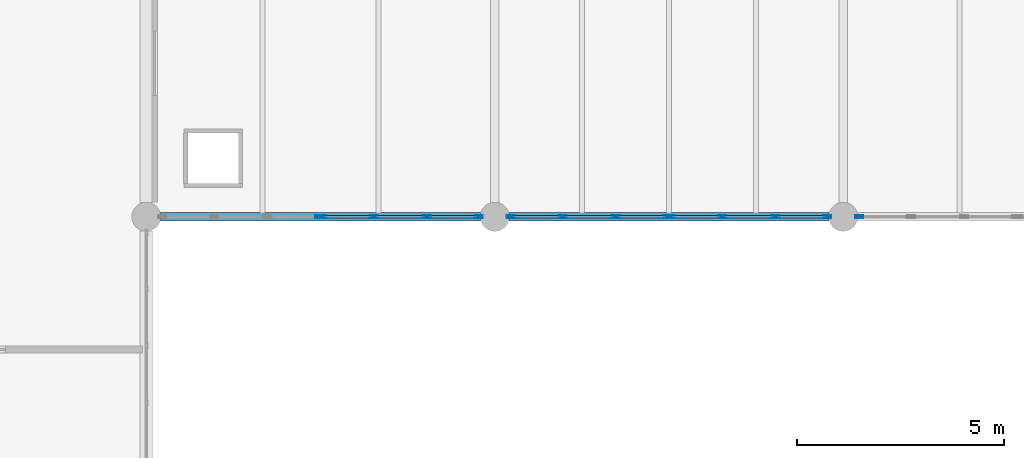
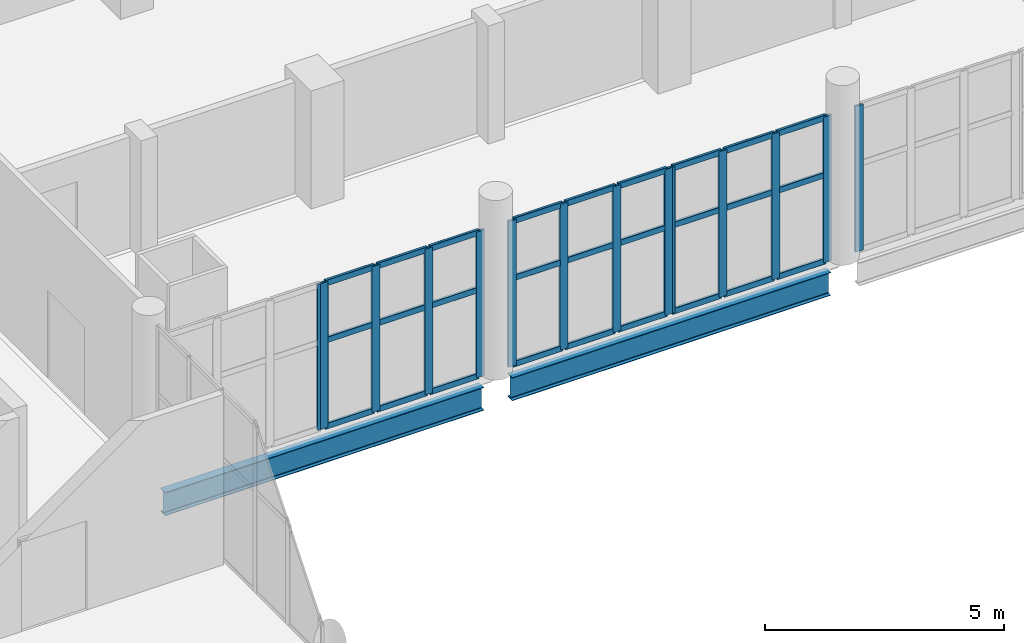
# One storey, part 29 of 74: 41 members, 2 beams, 5 elements without a shape of their own.
"""IFC4 building model written with IfcOpenShell, lengths in metres."""

from ifc_helpers import new_model, si_unit, direction, frame, origin, origin_2d, place, context, subcontext, project, spatial, hollow_rectangle, i_section, extrude, material, material_profile, profile_set, type_object, element, aggregate, save


model = new_model("IFC4")

# Units and contexts
model_context = context("Model", 3, precision=1e-05, world=origin(), true_north=direction((0.0, 1.0)))
body_context = subcontext(model_context, "Body", "Model", "MODEL_VIEW")
ifc_project = project(units=[si_unit("LENGTHUNIT", "METRE"), si_unit("AREAUNIT", "SQUARE_METRE"), si_unit("VOLUMEUNIT", "CUBIC_METRE"), si_unit("PLANEANGLEUNIT", "RADIAN"), si_unit("MASSUNIT", "GRAM", prefix="KILO")], contexts=[model_context])

# Site, building, storey
site_placement = place(None, origin())
site = spatial("IfcSite", under=ifc_project, at=site_placement, CompositionType="ELEMENT")
building_placement = place(site_placement, origin())
building = spatial("IfcBuilding", under=site, at=building_placement, Name="Shengluoqiao Park Theatre", CompositionType="ELEMENT")
storey_placement = place(building_placement, frame((0.0, 0.0, 14.60009765625)))
storey = spatial("IfcBuildingStorey", under=building, at=storey_placement, Name="L03", CompositionType="ELEMENT", Elevation=14.60009765625)

# Curtain wall, member
ifc_material_1 = material(Name="Aluminium 6063-T6", Category="aluminium")
curtain_wall_type = type_object("IfcCurtainWallType", Name="ENV-CW-PROM", PredefinedType="NOTDEFINED", material=ifc_material_1)
curtain_wall_1_placement = place(storey_placement, origin())
curtain_wall_1 = element("IfcCurtainWall", 1, at=curtain_wall_1_placement, inside=storey, type_object=curtain_wall_type, Name="L03 Curtain Wall CW-L03-0081", PredefinedType="NOTDEFINED")
ifc_material_profile_1 = material_profile(ifc_material_1, hollow_rectangle(XDim=0.06494140625, YDim=0.199951171875, WallThickness=0.0048828125, InnerFilletRadius=0.0048828125, OuterFilletRadius=0.010009765625, at=origin_2d()), Name="ALU MULLION 200x65x5")
ifc_profile_set_1 = profile_set([ifc_material_profile_1], Name="Aluminium 6063-T6")
member_type_1 = type_object("IfcMemberType", Name="ENV-MUL-200", PredefinedType="MULLION", material=ifc_profile_set_1)
member_1_placement = place(storey_placement, frame((48.5673828125, 68.39990234375, 0.0), z_axis=(0.0, 0.0, 1.0), x_axis=(0.0, 1.0, 0.0)))
member_1 = element("IfcMember", 2, at=member_1_placement, type_object=member_type_1, Name="CW-04 mullion 4", PredefinedType="MULLION", context=body_context, shape_type="SweptSolid", body=[
    extrude(hollow_rectangle(XDim=0.06494140625, YDim=0.199951171875, WallThickness=0.0048828125, InnerFilletRadius=0.0048828125, OuterFilletRadius=0.010009765625, at=origin_2d()), origin(), (0.0, 0.0, 1.0), 3.73193359375),
])
aggregate(curtain_wall_1, [member_1])

# Curtain wall, members
curtain_wall_2_placement = place(storey_placement, origin())
curtain_wall_2 = element("IfcCurtainWall", 3, at=curtain_wall_2_placement, inside=storey, type_object=curtain_wall_type, Name="L03 Curtain Wall CW-L03-0082", PredefinedType="NOTDEFINED")
member_2_placement = place(storey_placement, frame((48.632568359375, 68.39990234375, 0.0), z_axis=(0.0, 0.0, 1.0), x_axis=(0.0, 1.0, 0.0)))
member_2 = element("IfcMember", 4, at=member_2_placement, type_object=member_type_1, Name="CW-04 mullion 1", PredefinedType="MULLION", context=body_context, shape_type="SweptSolid", body=[
    extrude(hollow_rectangle(XDim=0.06494140625, YDim=0.199951171875, WallThickness=0.0048828125, InnerFilletRadius=0.0048828125, OuterFilletRadius=0.010009765625, at=origin_2d()), origin(), (0.0, 0.0, 1.0), 3.73193359375),
])
member_3_placement = place(storey_placement, frame((49.882080078125, 68.39990234375, 0.0), z_axis=(0.0, 0.0, 1.0), x_axis=(0.0, 1.0, 0.0)))
member_3 = element("IfcMember", 5, at=member_3_placement, type_object=member_type_1, Name="CW-04 mullion 2", PredefinedType="MULLION", context=body_context, shape_type="SweptSolid", body=[
    extrude(hollow_rectangle(XDim=0.06494140625, YDim=0.199951171875, WallThickness=0.0048828125, InnerFilletRadius=0.0048828125, OuterFilletRadius=0.010009765625, at=origin_2d()), origin(), (0.0, 0.0, 1.0), 3.73193359375),
])
member_4_placement = place(storey_placement, frame((51.1640625, 68.39990234375, 0.0), z_axis=(0.0, 0.0, 1.0), x_axis=(0.0, 1.0, 0.0)))
member_4 = element("IfcMember", 6, at=member_4_placement, type_object=member_type_1, Name="CW-04 mullion 3", PredefinedType="MULLION", context=body_context, shape_type="SweptSolid", body=[
    extrude(hollow_rectangle(XDim=0.06494140625, YDim=0.199951171875, WallThickness=0.0048828125, InnerFilletRadius=0.0048828125, OuterFilletRadius=0.010009765625, at=origin_2d()), origin(), (0.0, 0.0, 1.0), 3.73193359375),
])
member_5_placement = place(storey_placement, frame((52.41357421875, 68.39990234375, 0.0), z_axis=(0.0, 0.0, 1.0), x_axis=(0.0, 1.0, 0.0)))
member_5 = element("IfcMember", 7, at=member_5_placement, type_object=member_type_1, Name="CW-04 mullion 4", PredefinedType="MULLION", context=body_context, shape_type="SweptSolid", body=[
    extrude(hollow_rectangle(XDim=0.06494140625, YDim=0.199951171875, WallThickness=0.0048828125, InnerFilletRadius=0.0048828125, OuterFilletRadius=0.010009765625, at=origin_2d()), origin(), (0.0, 0.0, 1.0), 3.73193359375),
])

curtain_wall_3_placement = place(storey_placement, origin())
curtain_wall_3 = element("IfcCurtainWall", 8, at=curtain_wall_3_placement, inside=storey, type_object=curtain_wall_type, Name="L03 Curtain Wall CW-L03-0083", PredefinedType="NOTDEFINED")
member_6_placement = place(storey_placement, frame((53.1865234375, 68.39990234375, 0.0), z_axis=(0.0, 0.0, 1.0), x_axis=(0.0, 1.0, 0.0)))
member_6 = element("IfcMember", 9, at=member_6_placement, type_object=member_type_1, Name="CW-04 mullion 1", PredefinedType="MULLION", context=body_context, shape_type="SweptSolid", body=[
    extrude(hollow_rectangle(XDim=0.06494140625, YDim=0.199951171875, WallThickness=0.0048828125, InnerFilletRadius=0.0048828125, OuterFilletRadius=0.010009765625, at=origin_2d()), origin(), (0.0, 0.0, 1.0), 3.73193359375),
])
member_7_placement = place(storey_placement, frame((54.43603515625, 68.39990234375, 0.0), z_axis=(0.0, 0.0, 1.0), x_axis=(0.0, 1.0, 0.0)))
member_7 = element("IfcMember", 10, at=member_7_placement, type_object=member_type_1, Name="CW-04 mullion 2", PredefinedType="MULLION", context=body_context, shape_type="SweptSolid", body=[
    extrude(hollow_rectangle(XDim=0.06494140625, YDim=0.199951171875, WallThickness=0.0048828125, InnerFilletRadius=0.0048828125, OuterFilletRadius=0.010009765625, at=origin_2d()), origin(), (0.0, 0.0, 1.0), 3.73193359375),
])
member_8_placement = place(storey_placement, frame((55.718017578125, 68.39990234375, 0.0), z_axis=(0.0, 0.0, 1.0), x_axis=(0.0, 1.0, 0.0)))
member_8 = element("IfcMember", 11, at=member_8_placement, type_object=member_type_1, Name="CW-04 mullion 3", PredefinedType="MULLION", context=body_context, shape_type="SweptSolid", body=[
    extrude(hollow_rectangle(XDim=0.06494140625, YDim=0.199951171875, WallThickness=0.0048828125, InnerFilletRadius=0.0048828125, OuterFilletRadius=0.010009765625, at=origin_2d()), origin(), (0.0, 0.0, 1.0), 3.73193359375),
])
member_9_placement = place(storey_placement, frame((56.967529296875, 68.39990234375, 0.0), z_axis=(0.0, 0.0, 1.0), x_axis=(0.0, 1.0, 0.0)))
member_9 = element("IfcMember", 12, at=member_9_placement, type_object=member_type_1, Name="CW-04 mullion 4", PredefinedType="MULLION", context=body_context, shape_type="SweptSolid", body=[
    extrude(hollow_rectangle(XDim=0.06494140625, YDim=0.199951171875, WallThickness=0.0048828125, InnerFilletRadius=0.0048828125, OuterFilletRadius=0.010009765625, at=origin_2d()), origin(), (0.0, 0.0, 1.0), 3.73193359375),
])

curtain_wall_4_placement = place(storey_placement, origin())
curtain_wall_4 = element("IfcCurtainWall", 13, at=curtain_wall_4_placement, inside=storey, type_object=curtain_wall_type, Name="L03 Curtain Wall CW-L03-0084", PredefinedType="NOTDEFINED")
member_10_placement = place(storey_placement, frame((57.032470703125, 68.39990234375, 0.0), z_axis=(0.0, 0.0, 1.0), x_axis=(0.0, 1.0, 0.0)))
member_10 = element("IfcMember", 14, at=member_10_placement, type_object=member_type_1, Name="CW-04 mullion 1", PredefinedType="MULLION", context=body_context, shape_type="SweptSolid", body=[
    extrude(hollow_rectangle(XDim=0.06494140625, YDim=0.199951171875, WallThickness=0.0048828125, InnerFilletRadius=0.0048828125, OuterFilletRadius=0.010009765625, at=origin_2d()), origin(), (0.0, 0.0, 1.0), 3.73193359375),
])
member_11_placement = place(storey_placement, frame((58.281982421875, 68.39990234375, 0.0), z_axis=(0.0, 0.0, 1.0), x_axis=(0.0, 1.0, 0.0)))
member_11 = element("IfcMember", 15, at=member_11_placement, type_object=member_type_1, Name="CW-04 mullion 2", PredefinedType="MULLION", context=body_context, shape_type="SweptSolid", body=[
    extrude(hollow_rectangle(XDim=0.06494140625, YDim=0.199951171875, WallThickness=0.0048828125, InnerFilletRadius=0.0048828125, OuterFilletRadius=0.010009765625, at=origin_2d()), origin(), (0.0, 0.0, 1.0), 3.73193359375),
])
member_12_placement = place(storey_placement, frame((59.56396484375, 68.39990234375, 0.0), z_axis=(0.0, 0.0, 1.0), x_axis=(0.0, 1.0, 0.0)))
member_12 = element("IfcMember", 16, at=member_12_placement, type_object=member_type_1, Name="CW-04 mullion 3", PredefinedType="MULLION", context=body_context, shape_type="SweptSolid", body=[
    extrude(hollow_rectangle(XDim=0.06494140625, YDim=0.199951171875, WallThickness=0.0048828125, InnerFilletRadius=0.0048828125, OuterFilletRadius=0.010009765625, at=origin_2d()), origin(), (0.0, 0.0, 1.0), 3.73193359375),
])
member_13_placement = place(storey_placement, frame((60.8134765625, 68.39990234375, 0.0), z_axis=(0.0, 0.0, 1.0), x_axis=(0.0, 1.0, 0.0)))
member_13 = element("IfcMember", 17, at=member_13_placement, type_object=member_type_1, Name="CW-04 mullion 4", PredefinedType="MULLION", context=body_context, shape_type="SweptSolid", body=[
    extrude(hollow_rectangle(XDim=0.06494140625, YDim=0.199951171875, WallThickness=0.0048828125, InnerFilletRadius=0.0048828125, OuterFilletRadius=0.010009765625, at=origin_2d()), origin(), (0.0, 0.0, 1.0), 3.73193359375),
])

# Curtain wall, member
curtain_wall_5_placement = place(storey_placement, origin())
curtain_wall_5 = element("IfcCurtainWall", 18, at=curtain_wall_5_placement, inside=storey, type_object=curtain_wall_type, Name="L03 Curtain Wall CW-L03-0085", PredefinedType="NOTDEFINED")
member_14_placement = place(storey_placement, frame((61.58642578125, 68.39990234375, 0.0), z_axis=(0.0, 0.0, 1.0), x_axis=(0.0, 1.0, 0.0)))
member_14 = element("IfcMember", 19, at=member_14_placement, type_object=member_type_1, Name="CW-04 mullion 1", PredefinedType="MULLION", context=body_context, shape_type="SweptSolid", body=[
    extrude(hollow_rectangle(XDim=0.06494140625, YDim=0.199951171875, WallThickness=0.0048828125, InnerFilletRadius=0.0048828125, OuterFilletRadius=0.010009765625, at=origin_2d()), origin(), (0.0, 0.0, 1.0), 3.73193359375),
])
aggregate(curtain_wall_5, [member_14])

# Member
ifc_material_profile_2 = material_profile(ifc_material_1, hollow_rectangle(XDim=0.06494140625, YDim=0.14990234375, WallThickness=0.00390625, InnerFilletRadius=0.00390625, OuterFilletRadius=0.008056640625, at=origin_2d()), Name="ALU TRANSOM 150x65x4")
ifc_profile_set_2 = profile_set([ifc_material_profile_2], Name="Aluminium 6063-T6")
member_type_2 = type_object("IfcMemberType", Name="ENV-TRN-150", PredefinedType="USERDEFINED", material=ifc_profile_set_2)
member_15_placement = place(storey_placement, frame((48.6650390625, 68.39990234375, 0.032470703125), z_axis=(1.0, 0.0, 0.0), x_axis=(0.0, 1.0, 0.0)))
member_15 = element("IfcMember", 20, at=member_15_placement, type_object=member_type_2, Name="CW-04 transom 1.1", ObjectType="TRANSOM", PredefinedType="USERDEFINED", context=body_context, shape_type="SweptSolid", body=[
    extrude(hollow_rectangle(XDim=0.06494140625, YDim=0.14990234375, WallThickness=0.00390625, InnerFilletRadius=0.00390625, OuterFilletRadius=0.008056640625, at=origin_2d()), origin(), (0.0, 0.0, 1.0), 1.1845703125),
])

member_16_placement = place(storey_placement, frame((48.6650390625, 68.39990234375, 2.239013671875), z_axis=(1.0, 0.0, 0.0), x_axis=(0.0, 1.0, 0.0)))
member_16 = element("IfcMember", 21, at=member_16_placement, type_object=member_type_2, Name="CW-04 transom 1.2", ObjectType="TRANSOM", PredefinedType="USERDEFINED", context=body_context, shape_type="SweptSolid", body=[
    extrude(hollow_rectangle(XDim=0.06494140625, YDim=0.14990234375, WallThickness=0.00390625, InnerFilletRadius=0.00390625, OuterFilletRadius=0.008056640625, at=origin_2d()), origin(), (0.0, 0.0, 1.0), 1.1845703125),
])

member_17_placement = place(storey_placement, frame((48.6650390625, 68.39990234375, 3.699462890625), z_axis=(1.0, 0.0, 0.0), x_axis=(0.0, 1.0, 0.0)))
member_17 = element("IfcMember", 22, at=member_17_placement, type_object=member_type_2, Name="CW-04 transom 1.3", ObjectType="TRANSOM", PredefinedType="USERDEFINED", context=body_context, shape_type="SweptSolid", body=[
    extrude(hollow_rectangle(XDim=0.06494140625, YDim=0.14990234375, WallThickness=0.00390625, InnerFilletRadius=0.00390625, OuterFilletRadius=0.008056640625, at=origin_2d()), origin(), (0.0, 0.0, 1.0), 1.1845703125),
])

member_18_placement = place(storey_placement, frame((49.91455078125, 68.39990234375, 0.032470703125), z_axis=(1.0, 0.0, 0.0), x_axis=(0.0, 1.0, 0.0)))
member_18 = element("IfcMember", 23, at=member_18_placement, type_object=member_type_2, Name="CW-04 transom 2.1", ObjectType="TRANSOM", PredefinedType="USERDEFINED", context=body_context, shape_type="SweptSolid", body=[
    extrude(hollow_rectangle(XDim=0.06494140625, YDim=0.14990234375, WallThickness=0.00390625, InnerFilletRadius=0.00390625, OuterFilletRadius=0.008056640625, at=origin_2d()), origin(), (0.0, 0.0, 1.0), 1.217041015625),
])

member_19_placement = place(storey_placement, frame((49.91455078125, 68.39990234375, 2.239013671875), z_axis=(1.0, 0.0, 0.0), x_axis=(0.0, 1.0, 0.0)))
member_19 = element("IfcMember", 24, at=member_19_placement, type_object=member_type_2, Name="CW-04 transom 2.2", ObjectType="TRANSOM", PredefinedType="USERDEFINED", context=body_context, shape_type="SweptSolid", body=[
    extrude(hollow_rectangle(XDim=0.06494140625, YDim=0.14990234375, WallThickness=0.00390625, InnerFilletRadius=0.00390625, OuterFilletRadius=0.008056640625, at=origin_2d()), origin(), (0.0, 0.0, 1.0), 1.217041015625),
])

member_20_placement = place(storey_placement, frame((49.91455078125, 68.39990234375, 3.699462890625), z_axis=(1.0, 0.0, 0.0), x_axis=(0.0, 1.0, 0.0)))
member_20 = element("IfcMember", 25, at=member_20_placement, type_object=member_type_2, Name="CW-04 transom 2.3", ObjectType="TRANSOM", PredefinedType="USERDEFINED", context=body_context, shape_type="SweptSolid", body=[
    extrude(hollow_rectangle(XDim=0.06494140625, YDim=0.14990234375, WallThickness=0.00390625, InnerFilletRadius=0.00390625, OuterFilletRadius=0.008056640625, at=origin_2d()), origin(), (0.0, 0.0, 1.0), 1.217041015625),
])

member_21_placement = place(storey_placement, frame((51.196533203125, 68.39990234375, 0.032470703125), z_axis=(1.0, 0.0, 0.0), x_axis=(0.0, 1.0, 0.0)))
member_21 = element("IfcMember", 26, at=member_21_placement, type_object=member_type_2, Name="CW-04 transom 3.1", ObjectType="TRANSOM", PredefinedType="USERDEFINED", context=body_context, shape_type="SweptSolid", body=[
    extrude(hollow_rectangle(XDim=0.06494140625, YDim=0.14990234375, WallThickness=0.00390625, InnerFilletRadius=0.00390625, OuterFilletRadius=0.008056640625, at=origin_2d()), origin(), (0.0, 0.0, 1.0), 1.1845703125),
])

member_22_placement = place(storey_placement, frame((51.196533203125, 68.39990234375, 2.239013671875), z_axis=(1.0, 0.0, 0.0), x_axis=(0.0, 1.0, 0.0)))
member_22 = element("IfcMember", 27, at=member_22_placement, type_object=member_type_2, Name="CW-04 transom 3.2", ObjectType="TRANSOM", PredefinedType="USERDEFINED", context=body_context, shape_type="SweptSolid", body=[
    extrude(hollow_rectangle(XDim=0.06494140625, YDim=0.14990234375, WallThickness=0.00390625, InnerFilletRadius=0.00390625, OuterFilletRadius=0.008056640625, at=origin_2d()), origin(), (0.0, 0.0, 1.0), 1.1845703125),
])

member_23_placement = place(storey_placement, frame((51.196533203125, 68.39990234375, 3.699462890625), z_axis=(1.0, 0.0, 0.0), x_axis=(0.0, 1.0, 0.0)))
member_23 = element("IfcMember", 28, at=member_23_placement, type_object=member_type_2, Name="CW-04 transom 3.3", ObjectType="TRANSOM", PredefinedType="USERDEFINED", context=body_context, shape_type="SweptSolid", body=[
    extrude(hollow_rectangle(XDim=0.06494140625, YDim=0.14990234375, WallThickness=0.00390625, InnerFilletRadius=0.00390625, OuterFilletRadius=0.008056640625, at=origin_2d()), origin(), (0.0, 0.0, 1.0), 1.1845703125),
])

aggregate(curtain_wall_2, [member_2, member_3, member_4, member_5, member_15, member_16, member_17, member_18, member_19, member_20, member_21, member_22, member_23])

member_24_placement = place(storey_placement, frame((53.218994140625, 68.39990234375, 0.032470703125), z_axis=(1.0, 0.0, 0.0), x_axis=(0.0, 1.0, 0.0)))
member_24 = element("IfcMember", 29, at=member_24_placement, type_object=member_type_2, Name="CW-04 transom 1.1", ObjectType="TRANSOM", PredefinedType="USERDEFINED", context=body_context, shape_type="SweptSolid", body=[
    extrude(hollow_rectangle(XDim=0.06494140625, YDim=0.14990234375, WallThickness=0.00390625, InnerFilletRadius=0.00390625, OuterFilletRadius=0.008056640625, at=origin_2d()), origin(), (0.0, 0.0, 1.0), 1.1845703125),
])

member_25_placement = place(storey_placement, frame((53.218994140625, 68.39990234375, 2.239013671875), z_axis=(1.0, 0.0, 0.0), x_axis=(0.0, 1.0, 0.0)))
member_25 = element("IfcMember", 30, at=member_25_placement, type_object=member_type_2, Name="CW-04 transom 1.2", ObjectType="TRANSOM", PredefinedType="USERDEFINED", context=body_context, shape_type="SweptSolid", body=[
    extrude(hollow_rectangle(XDim=0.06494140625, YDim=0.14990234375, WallThickness=0.00390625, InnerFilletRadius=0.00390625, OuterFilletRadius=0.008056640625, at=origin_2d()), origin(), (0.0, 0.0, 1.0), 1.1845703125),
])

member_26_placement = place(storey_placement, frame((53.218994140625, 68.39990234375, 3.699462890625), z_axis=(1.0, 0.0, 0.0), x_axis=(0.0, 1.0, 0.0)))
member_26 = element("IfcMember", 31, at=member_26_placement, type_object=member_type_2, Name="CW-04 transom 1.3", ObjectType="TRANSOM", PredefinedType="USERDEFINED", context=body_context, shape_type="SweptSolid", body=[
    extrude(hollow_rectangle(XDim=0.06494140625, YDim=0.14990234375, WallThickness=0.00390625, InnerFilletRadius=0.00390625, OuterFilletRadius=0.008056640625, at=origin_2d()), origin(), (0.0, 0.0, 1.0), 1.1845703125),
])

member_27_placement = place(storey_placement, frame((54.468505859375, 68.39990234375, 0.032470703125), z_axis=(1.0, 0.0, 0.0), x_axis=(0.0, 1.0, 0.0)))
member_27 = element("IfcMember", 32, at=member_27_placement, type_object=member_type_2, Name="CW-04 transom 2.1", ObjectType="TRANSOM", PredefinedType="USERDEFINED", context=body_context, shape_type="SweptSolid", body=[
    extrude(hollow_rectangle(XDim=0.06494140625, YDim=0.14990234375, WallThickness=0.00390625, InnerFilletRadius=0.00390625, OuterFilletRadius=0.008056640625, at=origin_2d()), origin(), (0.0, 0.0, 1.0), 1.217041015625),
])

member_28_placement = place(storey_placement, frame((54.468505859375, 68.39990234375, 2.239013671875), z_axis=(1.0, 0.0, 0.0), x_axis=(0.0, 1.0, 0.0)))
member_28 = element("IfcMember", 33, at=member_28_placement, type_object=member_type_2, Name="CW-04 transom 2.2", ObjectType="TRANSOM", PredefinedType="USERDEFINED", context=body_context, shape_type="SweptSolid", body=[
    extrude(hollow_rectangle(XDim=0.06494140625, YDim=0.14990234375, WallThickness=0.00390625, InnerFilletRadius=0.00390625, OuterFilletRadius=0.008056640625, at=origin_2d()), origin(), (0.0, 0.0, 1.0), 1.217041015625),
])

member_29_placement = place(storey_placement, frame((54.468505859375, 68.39990234375, 3.699462890625), z_axis=(1.0, 0.0, 0.0), x_axis=(0.0, 1.0, 0.0)))
member_29 = element("IfcMember", 34, at=member_29_placement, type_object=member_type_2, Name="CW-04 transom 2.3", ObjectType="TRANSOM", PredefinedType="USERDEFINED", context=body_context, shape_type="SweptSolid", body=[
    extrude(hollow_rectangle(XDim=0.06494140625, YDim=0.14990234375, WallThickness=0.00390625, InnerFilletRadius=0.00390625, OuterFilletRadius=0.008056640625, at=origin_2d()), origin(), (0.0, 0.0, 1.0), 1.217041015625),
])

member_30_placement = place(storey_placement, frame((55.75048828125, 68.39990234375, 0.032470703125), z_axis=(1.0, 0.0, 0.0), x_axis=(0.0, 1.0, 0.0)))
member_30 = element("IfcMember", 35, at=member_30_placement, type_object=member_type_2, Name="CW-04 transom 3.1", ObjectType="TRANSOM", PredefinedType="USERDEFINED", context=body_context, shape_type="SweptSolid", body=[
    extrude(hollow_rectangle(XDim=0.06494140625, YDim=0.14990234375, WallThickness=0.00390625, InnerFilletRadius=0.00390625, OuterFilletRadius=0.008056640625, at=origin_2d()), origin(), (0.0, 0.0, 1.0), 1.1845703125),
])

member_31_placement = place(storey_placement, frame((55.75048828125, 68.39990234375, 2.239013671875), z_axis=(1.0, 0.0, 0.0), x_axis=(0.0, 1.0, 0.0)))
member_31 = element("IfcMember", 36, at=member_31_placement, type_object=member_type_2, Name="CW-04 transom 3.2", ObjectType="TRANSOM", PredefinedType="USERDEFINED", context=body_context, shape_type="SweptSolid", body=[
    extrude(hollow_rectangle(XDim=0.06494140625, YDim=0.14990234375, WallThickness=0.00390625, InnerFilletRadius=0.00390625, OuterFilletRadius=0.008056640625, at=origin_2d()), origin(), (0.0, 0.0, 1.0), 1.1845703125),
])

member_32_placement = place(storey_placement, frame((55.75048828125, 68.39990234375, 3.699462890625), z_axis=(1.0, 0.0, 0.0), x_axis=(0.0, 1.0, 0.0)))
member_32 = element("IfcMember", 37, at=member_32_placement, type_object=member_type_2, Name="CW-04 transom 3.3", ObjectType="TRANSOM", PredefinedType="USERDEFINED", context=body_context, shape_type="SweptSolid", body=[
    extrude(hollow_rectangle(XDim=0.06494140625, YDim=0.14990234375, WallThickness=0.00390625, InnerFilletRadius=0.00390625, OuterFilletRadius=0.008056640625, at=origin_2d()), origin(), (0.0, 0.0, 1.0), 1.1845703125),
])

aggregate(curtain_wall_3, [member_6, member_7, member_8, member_9, member_24, member_25, member_26, member_27, member_28, member_29, member_30, member_31, member_32])

member_33_placement = place(storey_placement, frame((57.06494140625, 68.39990234375, 0.032470703125), z_axis=(1.0, 0.0, 0.0), x_axis=(0.0, 1.0, 0.0)))
member_33 = element("IfcMember", 38, at=member_33_placement, type_object=member_type_2, Name="CW-04 transom 1.1", ObjectType="TRANSOM", PredefinedType="USERDEFINED", context=body_context, shape_type="SweptSolid", body=[
    extrude(hollow_rectangle(XDim=0.06494140625, YDim=0.14990234375, WallThickness=0.00390625, InnerFilletRadius=0.00390625, OuterFilletRadius=0.008056640625, at=origin_2d()), origin(), (0.0, 0.0, 1.0), 1.1845703125),
])

member_34_placement = place(storey_placement, frame((57.06494140625, 68.39990234375, 2.239013671875), z_axis=(1.0, 0.0, 0.0), x_axis=(0.0, 1.0, 0.0)))
member_34 = element("IfcMember", 39, at=member_34_placement, type_object=member_type_2, Name="CW-04 transom 1.2", ObjectType="TRANSOM", PredefinedType="USERDEFINED", context=body_context, shape_type="SweptSolid", body=[
    extrude(hollow_rectangle(XDim=0.06494140625, YDim=0.14990234375, WallThickness=0.00390625, InnerFilletRadius=0.00390625, OuterFilletRadius=0.008056640625, at=origin_2d()), origin(), (0.0, 0.0, 1.0), 1.1845703125),
])

member_35_placement = place(storey_placement, frame((57.06494140625, 68.39990234375, 3.699462890625), z_axis=(1.0, 0.0, 0.0), x_axis=(0.0, 1.0, 0.0)))
member_35 = element("IfcMember", 40, at=member_35_placement, type_object=member_type_2, Name="CW-04 transom 1.3", ObjectType="TRANSOM", PredefinedType="USERDEFINED", context=body_context, shape_type="SweptSolid", body=[
    extrude(hollow_rectangle(XDim=0.06494140625, YDim=0.14990234375, WallThickness=0.00390625, InnerFilletRadius=0.00390625, OuterFilletRadius=0.008056640625, at=origin_2d()), origin(), (0.0, 0.0, 1.0), 1.1845703125),
])

member_36_placement = place(storey_placement, frame((58.314453125, 68.39990234375, 0.032470703125), z_axis=(1.0, 0.0, 0.0), x_axis=(0.0, 1.0, 0.0)))
member_36 = element("IfcMember", 41, at=member_36_placement, type_object=member_type_2, Name="CW-04 transom 2.1", ObjectType="TRANSOM", PredefinedType="USERDEFINED", context=body_context, shape_type="SweptSolid", body=[
    extrude(hollow_rectangle(XDim=0.06494140625, YDim=0.14990234375, WallThickness=0.00390625, InnerFilletRadius=0.00390625, OuterFilletRadius=0.008056640625, at=origin_2d()), origin(), (0.0, 0.0, 1.0), 1.217041015625),
])

member_37_placement = place(storey_placement, frame((58.314453125, 68.39990234375, 2.239013671875), z_axis=(1.0, 0.0, 0.0), x_axis=(0.0, 1.0, 0.0)))
member_37 = element("IfcMember", 42, at=member_37_placement, type_object=member_type_2, Name="CW-04 transom 2.2", ObjectType="TRANSOM", PredefinedType="USERDEFINED", context=body_context, shape_type="SweptSolid", body=[
    extrude(hollow_rectangle(XDim=0.06494140625, YDim=0.14990234375, WallThickness=0.00390625, InnerFilletRadius=0.00390625, OuterFilletRadius=0.008056640625, at=origin_2d()), origin(), (0.0, 0.0, 1.0), 1.217041015625),
])

member_38_placement = place(storey_placement, frame((58.314453125, 68.39990234375, 3.699462890625), z_axis=(1.0, 0.0, 0.0), x_axis=(0.0, 1.0, 0.0)))
member_38 = element("IfcMember", 43, at=member_38_placement, type_object=member_type_2, Name="CW-04 transom 2.3", ObjectType="TRANSOM", PredefinedType="USERDEFINED", context=body_context, shape_type="SweptSolid", body=[
    extrude(hollow_rectangle(XDim=0.06494140625, YDim=0.14990234375, WallThickness=0.00390625, InnerFilletRadius=0.00390625, OuterFilletRadius=0.008056640625, at=origin_2d()), origin(), (0.0, 0.0, 1.0), 1.217041015625),
])

member_39_placement = place(storey_placement, frame((59.596435546875, 68.39990234375, 0.032470703125), z_axis=(1.0, 0.0, 0.0), x_axis=(0.0, 1.0, 0.0)))
member_39 = element("IfcMember", 44, at=member_39_placement, type_object=member_type_2, Name="CW-04 transom 3.1", ObjectType="TRANSOM", PredefinedType="USERDEFINED", context=body_context, shape_type="SweptSolid", body=[
    extrude(hollow_rectangle(XDim=0.06494140625, YDim=0.14990234375, WallThickness=0.00390625, InnerFilletRadius=0.00390625, OuterFilletRadius=0.008056640625, at=origin_2d()), origin(), (0.0, 0.0, 1.0), 1.1845703125),
])

member_40_placement = place(storey_placement, frame((59.596435546875, 68.39990234375, 2.239013671875), z_axis=(1.0, 0.0, 0.0), x_axis=(0.0, 1.0, 0.0)))
member_40 = element("IfcMember", 45, at=member_40_placement, type_object=member_type_2, Name="CW-04 transom 3.2", ObjectType="TRANSOM", PredefinedType="USERDEFINED", context=body_context, shape_type="SweptSolid", body=[
    extrude(hollow_rectangle(XDim=0.06494140625, YDim=0.14990234375, WallThickness=0.00390625, InnerFilletRadius=0.00390625, OuterFilletRadius=0.008056640625, at=origin_2d()), origin(), (0.0, 0.0, 1.0), 1.1845703125),
])

member_41_placement = place(storey_placement, frame((59.596435546875, 68.39990234375, 3.699462890625), z_axis=(1.0, 0.0, 0.0), x_axis=(0.0, 1.0, 0.0)))
member_41 = element("IfcMember", 46, at=member_41_placement, type_object=member_type_2, Name="CW-04 transom 3.3", ObjectType="TRANSOM", PredefinedType="USERDEFINED", context=body_context, shape_type="SweptSolid", body=[
    extrude(hollow_rectangle(XDim=0.06494140625, YDim=0.14990234375, WallThickness=0.00390625, InnerFilletRadius=0.00390625, OuterFilletRadius=0.008056640625, at=origin_2d()), origin(), (0.0, 0.0, 1.0), 1.1845703125),
])

aggregate(curtain_wall_4, [member_10, member_11, member_12, member_13, member_33, member_34, member_35, member_36, member_37, member_38, member_39, member_40, member_41])

# Beams
ifc_material_2 = material(Name="Steel Q355", Category="steel")
ifc_material_profile_3 = material_profile(ifc_material_2, i_section(OverallWidth=0.198974609375, OverallDepth=0.595947265625, WebThickness=0.010009765625, FlangeThickness=0.014892578125, FilletRadius=0.02001953125, at=origin_2d()), Name="HN 596x199x10x15")
ifc_profile_set_3 = profile_set([ifc_material_profile_3], Name="Steel Q355")
beam_type = type_object("IfcBeamType", Name="STR-BM-SP-HN596", PredefinedType="SPANDREL", material=ifc_profile_set_3)
beam_1_placement = place(storey_placement, frame((44.743896484375, 68.39990234375, -0.5380859375), z_axis=(1.0, 0.0, 0.0), x_axis=(0.0, 1.0, 0.0)))
element("IfcBeam", 47, at=beam_1_placement, inside=storey, type_object=beam_type, Name="L03 Primary Girder 01353", PredefinedType="SPANDREL", context=body_context, shape_type="SweptSolid", body=[
    extrude(i_section(OverallWidth=0.198974609375, OverallDepth=0.595947265625, WebThickness=0.010009765625, FlangeThickness=0.014892578125, FilletRadius=0.02001953125, at=origin_2d()), origin(), (0.0, 0.0, 1.0), 7.712158203125),
])
beam_2_placement = place(storey_placement, frame((53.14404296875, 68.39990234375, -0.5380859375), z_axis=(1.0, 0.0, 0.0), x_axis=(0.0, 1.0, 0.0)))
element("IfcBeam", 48, at=beam_2_placement, inside=storey, type_object=beam_type, Name="L03 Primary Girder 01354", PredefinedType="SPANDREL", context=body_context, shape_type="SweptSolid", body=[
    extrude(i_section(OverallWidth=0.198974609375, OverallDepth=0.595947265625, WebThickness=0.010009765625, FlangeThickness=0.014892578125, FilletRadius=0.02001953125, at=origin_2d()), origin(), (0.0, 0.0, 1.0), 7.7119140625),
])

save(model, "model.ifc")
